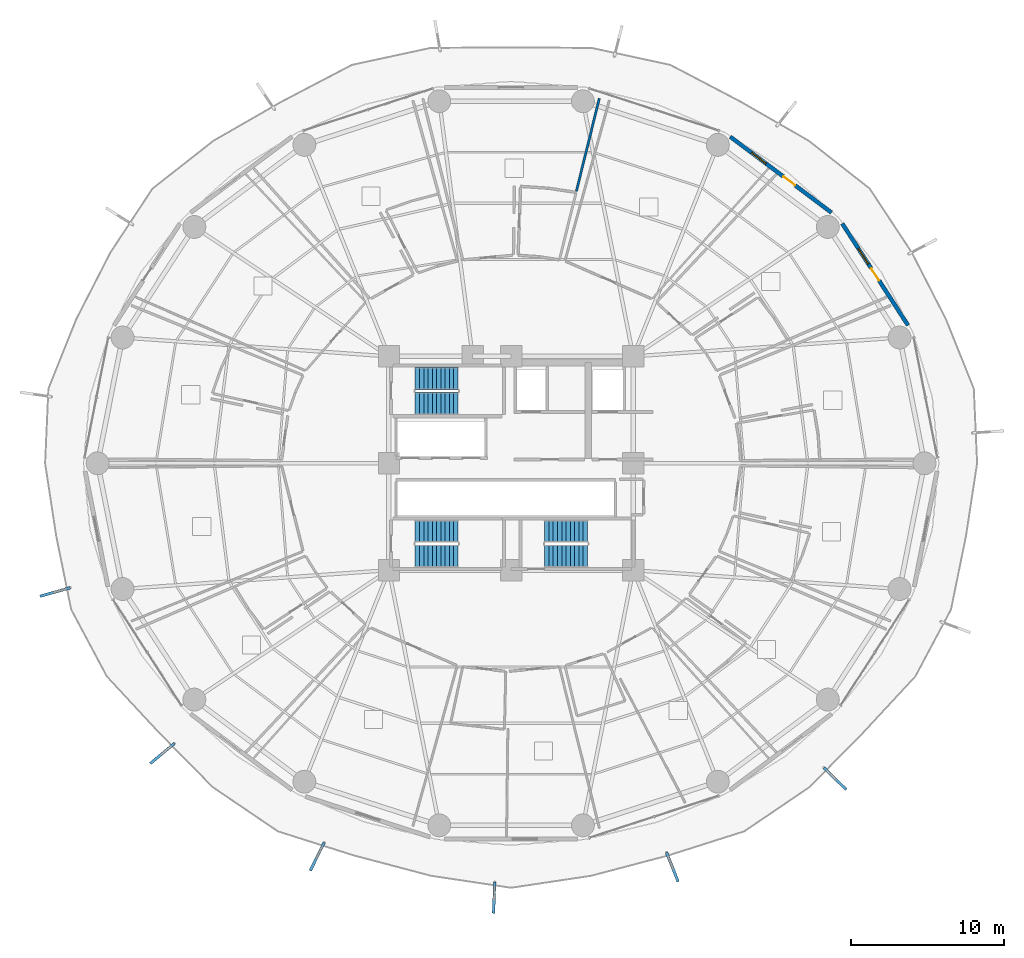
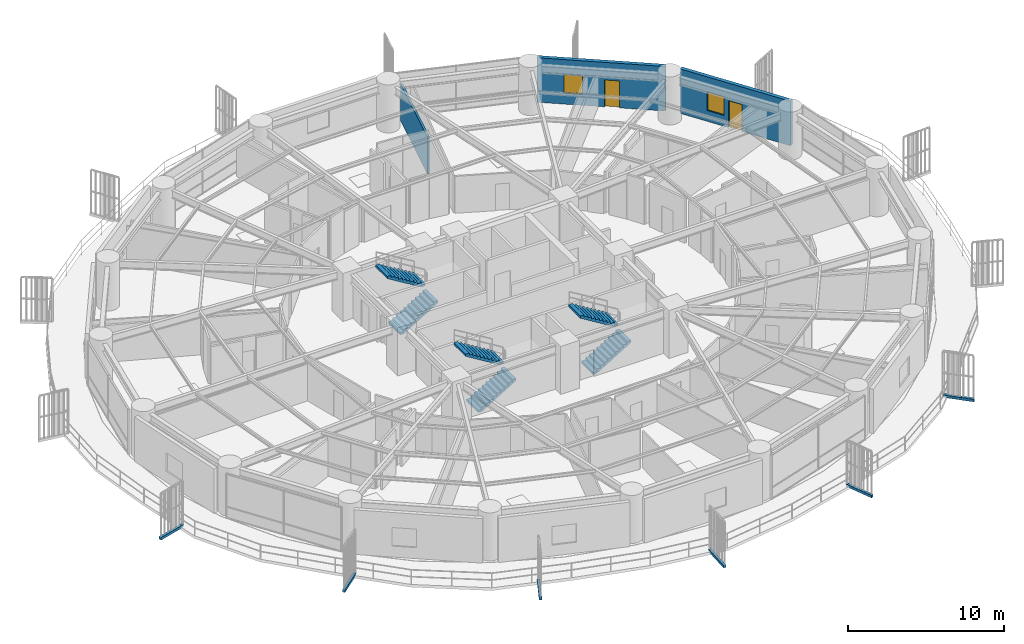
# One storey, part 28 of 33: 6 discrete accessories, 6 stair flights, 3 walls, 2 doors, 2 windows, 4 openings, 3 elements without a shape of their own.
"""IFC4 building model written with IfcOpenShell, lengths in metres."""

from ifc_helpers import new_model, si_unit, direction, frame, frame_2d, origin, origin_2d, place, context, subcontext, project, spatial, polyline, rectangle, outline, extrude, source, transform, mapped, material, layer, layer_set, type_object, element, fill, aggregate, save


model = new_model("IFC4")

# Units and contexts
model_context = context("Model", 3, precision=1e-05, world=origin(), true_north=direction((0.0, 1.0)))
body_context = subcontext(model_context, "Body", "Model", "MODEL_VIEW")
ifc_project = project(units=[si_unit("LENGTHUNIT", "METRE"), si_unit("AREAUNIT", "SQUARE_METRE"), si_unit("VOLUMEUNIT", "CUBIC_METRE"), si_unit("PLANEANGLEUNIT", "RADIAN"), si_unit("MASSUNIT", "GRAM", prefix="KILO")], contexts=[model_context])

# Site, building, storey
site_placement = place(None, origin())
site = spatial("IfcSite", under=ifc_project, at=site_placement, CompositionType="ELEMENT")
building_placement = place(site_placement, origin())
building = spatial("IfcBuilding", under=site, at=building_placement, Name="Kelanora Arch Commons", CompositionType="ELEMENT")
storey_placement = place(building_placement, frame((0.0, 0.0, 26.25)))
storey = spatial("IfcBuildingStorey", under=building, at=storey_placement, Name="L06", CompositionType="ELEMENT", Elevation=26.25)

# Wall
ifc_material_1 = material(Name="Autoclaved aerated concrete blockwork with fire plaster", Category="masonry")
ifc_layer_1 = layer(ifc_material_1, 0.14990234375)
ifc_layer_set_1 = layer_set([ifc_layer_1], Name="Autoclaved aerated concrete blockwork with fire plaster")
wall_type_1 = type_object("IfcWallType", Name="W-COMP-150", PredefinedType="PARTITIONING", material=ifc_layer_set_1)
wall_1_placement = place(storey_placement, frame((79.77734375, 81.89208984375, 0.0), z_axis=(0.0, 0.0, 1.0), x_axis=(-0.240000910349, -0.970772662899, 0.0)))
element("IfcWall", 1, at=wall_1_placement, inside=storey, type_object=wall_type_1, Name="Co-Living Studio L06-04 Enclosure Partition 5", PredefinedType="PARTITIONING", context=body_context, shape_type="SweptSolid", body=[
    extrude(rectangle(XDim=6.257080078125, YDim=0.14990234375, at=frame_2d((3.12841796875, 0.0))), origin(), (0.0, 0.0, 1.0), 2.875),
])

# Wall, openings, door, window
ifc_material_2 = material(Name="Precast concrete C40/50 with terracotta rainscreen", Category="masonry")
ifc_layer_2 = layer(ifc_material_2, 0.260009765625)
ifc_layer_set_2 = layer_set([ifc_layer_2], Name="Precast concrete C40/50 with terracotta rainscreen")
wall_type_2 = type_object("IfcWallType", Name="W-EXT-TC", PredefinedType="SOLIDWALL", material=ifc_layer_set_2)
wall_2_placement = place(storey_placement, frame((99.999267578125, 67.033203125, 0.0), z_axis=(0.0, 0.0, 1.0), x_axis=(-0.543005114258, 0.839729388488, 0.0)))
wall_2 = element("IfcWall", 2, at=wall_2_placement, inside=storey, type_object=wall_type_2, Name="Terracotta Exterior Wall L06-B01", PredefinedType="SOLIDWALL", context=body_context, shape_type="SweptSolid", body=[
    extrude(rectangle(XDim=7.9375, YDim=0.260009765625, at=frame_2d((3.96875, 0.0))), origin(), (0.0, 0.0, 1.0), 3.47509765625),
])
opening_1_placement = place(wall_2_placement, frame((3.493896484375, 0.0, 0.0)))
opening_1 = element("IfcOpeningElement", 3, at=opening_1_placement, cuts=wall_2, Name="Opening DB-01", PredefinedType="OPENING", context=body_context, shape_type="SweptSolid", body=[
    extrude(rectangle(XDim=0.949951171875, YDim=2.10009765625, at=frame_2d((0.47509765625, 1.050048828125))), frame((0.0, 0.14013671875, 0.0), z_axis=(0.0, -1.0, 0.0), x_axis=(1.0, 0.0, 0.0)), (0.0, 0.0, 1.0), 0.280029296875),
])
opening_2_placement = place(wall_2_placement, frame((4.7939453125, 0.0, 0.85009765625)))
opening_2 = element("IfcOpeningElement", 4, at=opening_2_placement, cuts=wall_2, Name="Opening WN-02", PredefinedType="OPENING", context=body_context, shape_type="SweptSolid", body=[
    extrude(rectangle(XDim=1.199951171875, YDim=1.449951171875, at=frame_2d((0.60009765625, 0.72509765625))), frame((0.0, 0.14013671875, 0.0), z_axis=(0.0, -1.0, 0.0), x_axis=(1.0, 0.0, 0.0)), (0.0, 0.0, 1.0), 0.280029296875),
])
ifc_material_3 = material(Name="Terracotta-aluminium thermally broken glazed balcony door", Category="masonry")
door_type = type_object("IfcDoorType", Name="D-BAL-10", OperationType="NOTDEFINED", PredefinedType="DOOR", material=ifc_material_3)
door_1_placement = place(opening_1_placement, frame((0.949951171875, 0.0, 0.0), z_axis=(0.0, 0.0, 1.0), x_axis=(-1.0, 0.0, 0.0)))
door_1 = element("IfcDoor", 5, at=door_1_placement, inside=storey, type_object=door_type, Name="Wave Balcony Door L06-B01", OperationType="SINGLE_SWING_RIGHT", OverallHeight=2.10009765625, OverallWidth=0.949951171875, PredefinedType="DOOR", context=body_context, shape_type="SweptSolid", body=[
    extrude(rectangle(XDim=0.949951171875, YDim=2.10009765625, at=frame_2d((0.47509765625, 1.050048828125))), frame((0.0, 0.02490234375, 0.0), z_axis=(0.0, -1.0, 0.0), x_axis=(1.0, 0.0, 0.0)), (0.0, 0.0, 1.0), 0.050048828125),
])
fill(opening_1, door_1)
ifc_material_4 = material(Name="Terracotta-anodised aluminium frame with operable awning sash", Category="masonry")
window_type = type_object("IfcWindowType", Name="WIN-CL-12", PartitioningType="SINGLE_PANEL", PredefinedType="WINDOW", material=ifc_material_4)
window_1_placement = place(opening_2_placement, origin())
window_1 = element("IfcWindow", 6, at=window_1_placement, inside=storey, type_object=window_type, Name="Co-Living Operable Window L06-B01", OverallHeight=1.449951171875, OverallWidth=1.199951171875, PartitioningType="SINGLE_PANEL", PredefinedType="WINDOW", context=body_context, shape_type="SweptSolid", body=[
    extrude(rectangle(XDim=1.199951171875, YDim=1.449951171875, at=frame_2d((0.60009765625, 0.72509765625))), frame((0.0, 0.030029296875, 0.0), z_axis=(0.0, -1.0, 0.0), x_axis=(1.0, 0.0, 0.0)), (0.0, 0.0, 1.0), 0.06005859375),
])
fill(opening_2, window_1)

wall_3_placement = place(storey_placement, frame((94.98388671875, 74.418212890625, 0.0), z_axis=(0.0, 0.0, 1.0), x_axis=(-0.80030733173, 0.599590005569, 0.0)))
wall_3 = element("IfcWall", 7, at=wall_3_placement, inside=storey, type_object=wall_type_2, Name="Terracotta Exterior Wall L06-B02", PredefinedType="SOLIDWALL", context=body_context, shape_type="SweptSolid", body=[
    extrude(rectangle(XDim=8.29052734375, YDim=0.260009765625, at=frame_2d((4.145263671875, 0.0))), origin(), (0.0, 0.0, 1.0), 3.47509765625),
])
opening_3_placement = place(wall_3_placement, frame((2.969970703125, 0.0, 0.0)))
opening_3 = element("IfcOpeningElement", 8, at=opening_3_placement, cuts=wall_3, Name="Opening DB-01", PredefinedType="OPENING", context=body_context, shape_type="SweptSolid", body=[
    extrude(rectangle(XDim=0.949951171875, YDim=2.10009765625, at=frame_2d((0.47509765625, 1.050048828125))), frame((0.0, 0.14013671875, 0.0), z_axis=(0.0, -1.0, 0.0), x_axis=(1.0, 0.0, 0.0)), (0.0, 0.0, 1.0), 0.280029296875),
])
opening_4_placement = place(wall_3_placement, frame((5.35009765625, 0.0, 0.85009765625)))
opening_4 = element("IfcOpeningElement", 9, at=opening_4_placement, cuts=wall_3, Name="Opening WN-02", PredefinedType="OPENING", context=body_context, shape_type="SweptSolid", body=[
    extrude(rectangle(XDim=1.199951171875, YDim=1.449951171875, at=frame_2d((0.60009765625, 0.72509765625))), frame((0.0, 0.14013671875, 0.0), z_axis=(0.0, -1.0, 0.0), x_axis=(1.0, 0.0, 0.0)), (0.0, 0.0, 1.0), 0.280029296875),
])
door_2_placement = place(opening_3_placement, frame((0.949951171875, 0.0, 0.0), z_axis=(0.0, 0.0, 1.0), x_axis=(-1.0, 0.0, 0.0)))
door_2 = element("IfcDoor", 10, at=door_2_placement, inside=storey, type_object=door_type, Name="Wave Balcony Door L06-B02", OperationType="SINGLE_SWING_LEFT", OverallHeight=2.10009765625, OverallWidth=0.949951171875, PredefinedType="DOOR", context=body_context, shape_type="SweptSolid", body=[
    extrude(rectangle(XDim=0.949951171875, YDim=2.10009765625, at=frame_2d((0.47509765625, 1.050048828125))), frame((0.0, 0.02490234375, 0.0), z_axis=(0.0, -1.0, 0.0), x_axis=(1.0, 0.0, 0.0)), (0.0, 0.0, 1.0), 0.050048828125),
])
fill(opening_3, door_2)
window_2_placement = place(opening_4_placement, origin())
window_2 = element("IfcWindow", 11, at=window_2_placement, inside=storey, type_object=window_type, Name="Co-Living Operable Window L06-B02", OverallHeight=1.449951171875, OverallWidth=1.199951171875, PartitioningType="SINGLE_PANEL", PredefinedType="WINDOW", context=body_context, shape_type="SweptSolid", body=[
    extrude(rectangle(XDim=1.199951171875, YDim=1.449951171875, at=frame_2d((0.60009765625, 0.72509765625))), frame((0.0, 0.030029296875, 0.0), z_axis=(0.0, -1.0, 0.0), x_axis=(1.0, 0.0, 0.0)), (0.0, 0.0, 1.0), 0.06005859375),
])
fill(opening_4, window_2)

# Stair, stair flights
ifc_material_5 = material(Name="Concrete C40/50", Category="concrete")
stair_type = type_object("IfcStairType", Name="STR-DL-375", PredefinedType="HALF_TURN_STAIR", material=ifc_material_5)
stair_1_placement = place(storey_placement, origin())
stair_1 = element("IfcStair", 12, at=stair_1_placement, inside=storey, type_object=stair_type, Name="L06 ST-T1", PredefinedType="HALF_TURN_STAIR")
stair_flight_type = type_object("IfcStairFlightType", Name="FLT-DL-375", PredefinedType="STRAIGHT", material=ifc_material_5)
stair_flight_1_placement = place(storey_placement, frame((67.719970703125, 61.919921875, 0.0), z_axis=(0.0, 0.0, 1.0), x_axis=(1.0, 0.0, 0.0)))
stair_flight_1 = element("IfcStairFlight", 13, at=stair_flight_1_placement, type_object=stair_flight_type, Name="ST-T1 flight 1", NumberOfRisers=11, NumberOfTreads=10, PredefinedType="STRAIGHT", RiserHeight=0.170454545, TreadLength=0.28, context=body_context, shape_type="SweptSolid", body=[
    extrude(outline(polyline([(0.0, 0.0), (0.0, 0.17041015625), (0.280029296875, 0.17041015625), (0.280029296875, 0.3408203125), (0.56005859375, 0.3408203125), (0.56005859375, 0.511474609375), (0.840087890625, 0.511474609375), (0.840087890625, 0.681884765625), (1.1201171875, 0.681884765625), (1.1201171875, 0.852294921875), (1.39990234375, 0.852294921875), (1.39990234375, 1.022705078125), (1.679931640625, 1.022705078125), (1.679931640625, 1.193115234375), (1.9599609375, 1.193115234375), (1.9599609375, 1.363525390625), (2.239990234375, 1.363525390625), (2.239990234375, 1.5341796875), (2.52001953125, 1.5341796875), (2.52001953125, 1.70458984375), (2.800048828125, 1.70458984375), (2.800048828125, 1.875), (2.800048828125, 1.529052734375), (0.288330078125, 0.0), (0.0, 0.0)])), frame((0.0, 0.739990234375, 0.0), z_axis=(0.0, -1.0, 0.0), x_axis=(1.0, 0.0, 0.0)), (0.0, 0.0, 1.0), 1.47998046875),
])
stair_flight_2_placement = place(storey_placement, frame((70.52001953125, 63.550048828125, 1.875), z_axis=(0.0, 0.0, 1.0), x_axis=(-1.0, 0.0, 0.0)))
stair_flight_2 = element("IfcStairFlight", 14, at=stair_flight_2_placement, type_object=stair_flight_type, Name="ST-T1 flight 2", NumberOfRisers=11, NumberOfTreads=10, PredefinedType="STRAIGHT", RiserHeight=0.170454545, TreadLength=0.28, context=body_context, shape_type="SweptSolid", body=[
    extrude(outline(polyline([(0.0, 0.0), (0.0, 0.17041015625), (0.280029296875, 0.17041015625), (0.280029296875, 0.3408203125), (0.56005859375, 0.3408203125), (0.56005859375, 0.511474609375), (0.840087890625, 0.511474609375), (0.840087890625, 0.681884765625), (1.1201171875, 0.681884765625), (1.1201171875, 0.852294921875), (1.39990234375, 0.852294921875), (1.39990234375, 1.022705078125), (1.679931640625, 1.022705078125), (1.679931640625, 1.193115234375), (1.9599609375, 1.193115234375), (1.9599609375, 1.363525390625), (2.239990234375, 1.363525390625), (2.239990234375, 1.5341796875), (2.52001953125, 1.5341796875), (2.52001953125, 1.70458984375), (2.800048828125, 1.70458984375), (2.800048828125, 1.875), (2.800048828125, 1.529052734375), (0.288330078125, 0.0), (0.0, 0.0)])), frame((0.0, 0.739990234375, 0.0), z_axis=(0.0, -1.0, 0.0), x_axis=(1.0, 0.0, 0.0)), (0.0, 0.0, 1.0), 1.47998046875),
])
aggregate(stair_1, [stair_flight_1, stair_flight_2])

stair_2_placement = place(storey_placement, origin())
stair_2 = element("IfcStair", 15, at=stair_2_placement, inside=storey, type_object=stair_type, Name="L06 ST-T2", PredefinedType="HALF_TURN_STAIR")
stair_flight_3_placement = place(storey_placement, frame((76.199951171875, 51.919921875, 0.0), z_axis=(0.0, 0.0, 1.0), x_axis=(1.0, 0.0, 0.0)))
stair_flight_3 = element("IfcStairFlight", 16, at=stair_flight_3_placement, type_object=stair_flight_type, Name="ST-T2 flight 1", NumberOfRisers=11, NumberOfTreads=10, PredefinedType="STRAIGHT", RiserHeight=0.170454545, TreadLength=0.28, context=body_context, shape_type="SweptSolid", body=[
    extrude(outline(polyline([(0.0, 0.0), (0.0, 0.17041015625), (0.280029296875, 0.17041015625), (0.280029296875, 0.3408203125), (0.56005859375, 0.3408203125), (0.56005859375, 0.511474609375), (0.840087890625, 0.511474609375), (0.840087890625, 0.681884765625), (1.1201171875, 0.681884765625), (1.1201171875, 0.852294921875), (1.39990234375, 0.852294921875), (1.39990234375, 1.022705078125), (1.679931640625, 1.022705078125), (1.679931640625, 1.193115234375), (1.9599609375, 1.193115234375), (1.9599609375, 1.363525390625), (2.239990234375, 1.363525390625), (2.239990234375, 1.5341796875), (2.52001953125, 1.5341796875), (2.52001953125, 1.70458984375), (2.800048828125, 1.70458984375), (2.800048828125, 1.875), (2.800048828125, 1.529052734375), (0.288330078125, 0.0), (0.0, 0.0)])), frame((0.0, 0.739990234375, 0.0), z_axis=(0.0, -1.0, 0.0), x_axis=(1.0, 0.0, 0.0)), (0.0, 0.0, 1.0), 1.47998046875),
])
stair_flight_4_placement = place(storey_placement, frame((79.0, 53.550048828125, 1.875), z_axis=(0.0, 0.0, 1.0), x_axis=(-1.0, 0.0, 0.0)))
stair_flight_4 = element("IfcStairFlight", 17, at=stair_flight_4_placement, type_object=stair_flight_type, Name="ST-T2 flight 2", NumberOfRisers=11, NumberOfTreads=10, PredefinedType="STRAIGHT", RiserHeight=0.170454545, TreadLength=0.28, context=body_context, shape_type="SweptSolid", body=[
    extrude(outline(polyline([(0.0, 0.0), (0.0, 0.17041015625), (0.280029296875, 0.17041015625), (0.280029296875, 0.3408203125), (0.56005859375, 0.3408203125), (0.56005859375, 0.511474609375), (0.840087890625, 0.511474609375), (0.840087890625, 0.681884765625), (1.1201171875, 0.681884765625), (1.1201171875, 0.852294921875), (1.39990234375, 0.852294921875), (1.39990234375, 1.022705078125), (1.679931640625, 1.022705078125), (1.679931640625, 1.193115234375), (1.9599609375, 1.193115234375), (1.9599609375, 1.363525390625), (2.239990234375, 1.363525390625), (2.239990234375, 1.5341796875), (2.52001953125, 1.5341796875), (2.52001953125, 1.70458984375), (2.800048828125, 1.70458984375), (2.800048828125, 1.875), (2.800048828125, 1.529052734375), (0.288330078125, 0.0), (0.0, 0.0)])), frame((0.0, 0.739990234375, 0.0), z_axis=(0.0, -1.0, 0.0), x_axis=(1.0, 0.0, 0.0)), (0.0, 0.0, 1.0), 1.47998046875),
])
aggregate(stair_2, [stair_flight_3, stair_flight_4])

stair_3_placement = place(storey_placement, origin())
stair_3 = element("IfcStair", 18, at=stair_3_placement, inside=storey, type_object=stair_type, Name="L06 ST-T3", PredefinedType="HALF_TURN_STAIR")
stair_flight_5_placement = place(storey_placement, frame((67.719970703125, 51.919921875, 0.0), z_axis=(0.0, 0.0, 1.0), x_axis=(1.0, 0.0, 0.0)))
stair_flight_5 = element("IfcStairFlight", 19, at=stair_flight_5_placement, type_object=stair_flight_type, Name="ST-T3 flight 1", NumberOfRisers=11, NumberOfTreads=10, PredefinedType="STRAIGHT", RiserHeight=0.170454545, TreadLength=0.28, context=body_context, shape_type="SweptSolid", body=[
    extrude(outline(polyline([(0.0, 0.0), (0.0, 0.17041015625), (0.280029296875, 0.17041015625), (0.280029296875, 0.3408203125), (0.56005859375, 0.3408203125), (0.56005859375, 0.511474609375), (0.840087890625, 0.511474609375), (0.840087890625, 0.681884765625), (1.1201171875, 0.681884765625), (1.1201171875, 0.852294921875), (1.39990234375, 0.852294921875), (1.39990234375, 1.022705078125), (1.679931640625, 1.022705078125), (1.679931640625, 1.193115234375), (1.9599609375, 1.193115234375), (1.9599609375, 1.363525390625), (2.239990234375, 1.363525390625), (2.239990234375, 1.5341796875), (2.52001953125, 1.5341796875), (2.52001953125, 1.70458984375), (2.800048828125, 1.70458984375), (2.800048828125, 1.875), (2.800048828125, 1.529052734375), (0.288330078125, 0.0), (0.0, 0.0)])), frame((0.0, 0.739990234375, 0.0), z_axis=(0.0, -1.0, 0.0), x_axis=(1.0, 0.0, 0.0)), (0.0, 0.0, 1.0), 1.47998046875),
])
stair_flight_6_placement = place(storey_placement, frame((70.52001953125, 53.550048828125, 1.875), z_axis=(0.0, 0.0, 1.0), x_axis=(-1.0, 0.0, 0.0)))
stair_flight_6 = element("IfcStairFlight", 20, at=stair_flight_6_placement, type_object=stair_flight_type, Name="ST-T3 flight 2", NumberOfRisers=11, NumberOfTreads=10, PredefinedType="STRAIGHT", RiserHeight=0.170454545, TreadLength=0.28, context=body_context, shape_type="SweptSolid", body=[
    extrude(outline(polyline([(0.0, 0.0), (0.0, 0.17041015625), (0.280029296875, 0.17041015625), (0.280029296875, 0.3408203125), (0.56005859375, 0.3408203125), (0.56005859375, 0.511474609375), (0.840087890625, 0.511474609375), (0.840087890625, 0.681884765625), (1.1201171875, 0.681884765625), (1.1201171875, 0.852294921875), (1.39990234375, 0.852294921875), (1.39990234375, 1.022705078125), (1.679931640625, 1.022705078125), (1.679931640625, 1.193115234375), (1.9599609375, 1.193115234375), (1.9599609375, 1.363525390625), (2.239990234375, 1.363525390625), (2.239990234375, 1.5341796875), (2.52001953125, 1.5341796875), (2.52001953125, 1.70458984375), (2.800048828125, 1.70458984375), (2.800048828125, 1.875), (2.800048828125, 1.529052734375), (0.288330078125, 0.0), (0.0, 0.0)])), frame((0.0, 0.739990234375, 0.0), z_axis=(0.0, -1.0, 0.0), x_axis=(1.0, 0.0, 0.0)), (0.0, 0.0, 1.0), 1.47998046875),
])
aggregate(stair_3, [stair_flight_5, stair_flight_6])

# Discrete accessories
ifc_material_6 = material(Name="Stainless steel 316 marine fin bracket", Category="steel")
discrete_accessory_type = type_object("IfcDiscreteAccessoryType", Name="ACC-FIN-BRK", PredefinedType="BRACKET", material=ifc_material_6)
shared_shape = source(origin(), body_context, "Body", "SweptSolid", [
    extrude(rectangle(XDim=2.052490234375, YDim=0.179931640625, at=origin_2d()), origin(), (0.0, 0.0, 1.0), 0.199951171875),
])
for number, where, z_axis, x_axis, name in (
    (21, (44.1337890625, 49.568359375, -0.16015625), (0.0, 0.0, 1.0), (-0.962407846499, -0.271608425858, 0.0), "Sweeping Fin Cantilever Spine Bracket L06-08"),
    (22, (51.161376953125, 38.9951171875, -0.16015625), (0.0, 0.0, 1.0), (-0.768730217204, -0.639573180455, 0.0), "Sweeping Fin Cantilever Spine Bracket L06-09"),
    (23, (61.304443359375, 32.2392578125, -0.16015625), (0.0, 0.0, 1.0), (-0.44213214966, -0.896949921811, 0.0), "Sweeping Fin Cantilever Spine Bracket L06-10"),
    (24, (72.889892578125, 29.5537109375, -0.16015625), (0.0, 0.0, 1.0), (-0.039085416795, -0.999235873152, 0.0), "Sweeping Fin Cantilever Spine Bracket L06-11"),
    (25, (84.558349609375, 31.555419921875, -0.16015625), (0.0, 0.0, 1.0), (0.370719539713, -0.928744864252, 0.0), "Sweeping Fin Cantilever Spine Bracket L06-12"),
    (26, (95.215087890625, 37.343994140625, -0.16015625), (0.0, 0.0, 1.0), (0.716423719924, -0.697665430941, 0.0), "Sweeping Fin Cantilever Spine Bracket L06-13"),
):
    element("IfcDiscreteAccessory", number, at=place(storey_placement, frame(where, z_axis=z_axis, x_axis=x_axis)), inside=storey, type_object=discrete_accessory_type, Name=name, PredefinedType="BRACKET", context=body_context, shape_type="MappedRepresentation", body=[
        mapped(shared_shape, transform((0.0, 0.0, 0.0), scale=1.0)),
    ])

save(model, "model.ifc")
